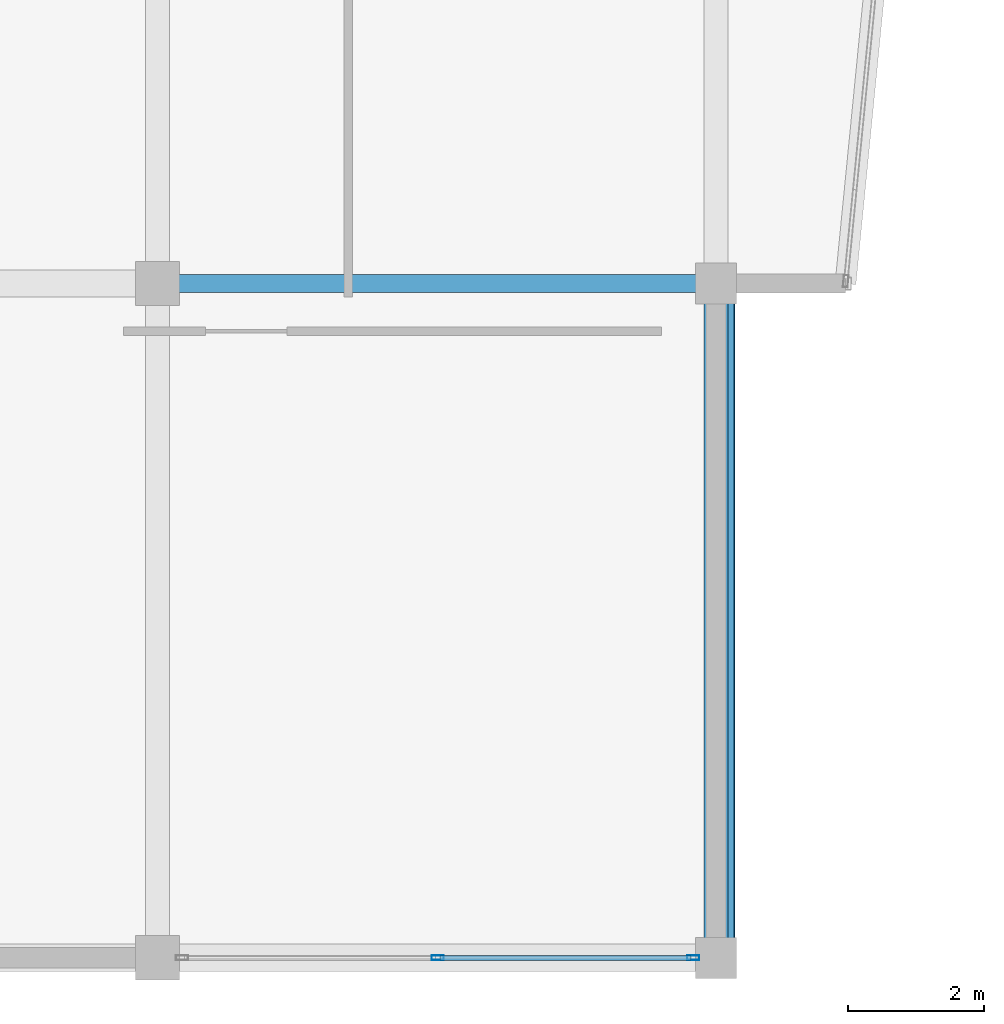
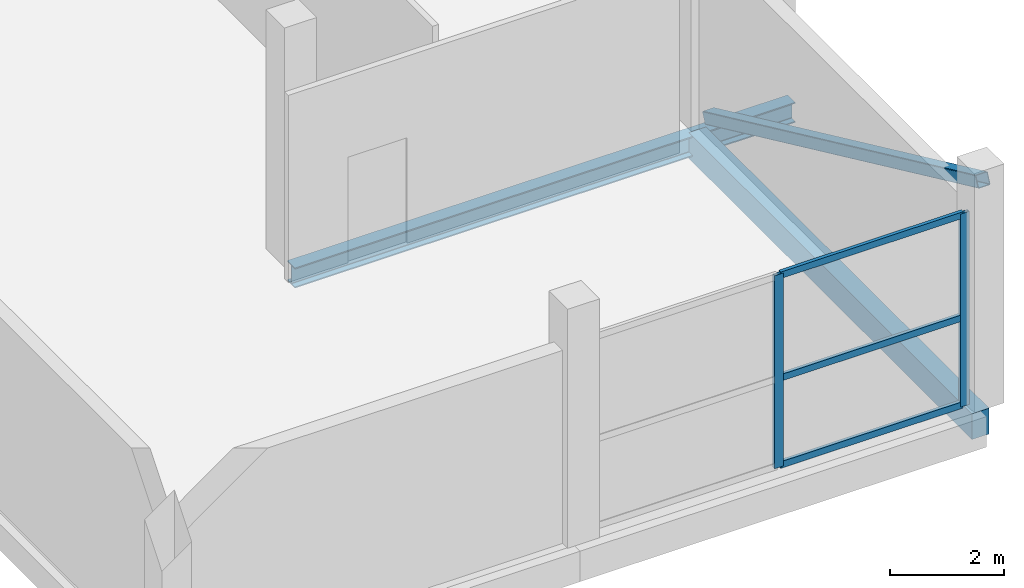
# One storey, part 12 of 66: 6 members, 2 beams, 1 element without a shape of its own.
"""IFC4 building model written with IfcOpenShell, lengths in metres."""

from ifc_helpers import new_model, si_unit, direction, frame, origin, origin_2d, place, context, subcontext, project, spatial, rectangle, hollow_rectangle, i_section, extrude, material, layer, layer_set, material_profile, profile_set, type_object, element, aggregate, save


model = new_model("IFC4")

# Units and contexts
model_context = context("Model", 3, precision=1e-05, world=origin(), true_north=direction((0.0, 1.0)))
body_context = subcontext(model_context, "Body", "Model", "MODEL_VIEW")
ifc_project = project(units=[si_unit("LENGTHUNIT", "METRE"), si_unit("AREAUNIT", "SQUARE_METRE"), si_unit("VOLUMEUNIT", "CUBIC_METRE"), si_unit("PLANEANGLEUNIT", "RADIAN"), si_unit("MASSUNIT", "GRAM", prefix="KILO")], contexts=[model_context])

# Site, building, storey
site_placement = place(None, origin())
site = spatial("IfcSite", under=ifc_project, at=site_placement, CompositionType="ELEMENT")
building_placement = place(site_placement, origin())
building = spatial("IfcBuilding", under=site, at=building_placement, Name="Sillaruma Civic Art Gallery", CompositionType="ELEMENT")
storey_placement = place(building_placement, frame((0.0, 0.0, 57.1201171875)))
storey = spatial("IfcBuildingStorey", under=building, at=storey_placement, Name="L11", CompositionType="ELEMENT", Elevation=57.1201171875)

# Beams
ifc_material_1 = material(Name="Structural Steel ASTM A992 Gr.50", Category="steel")
ifc_material_profile_1 = material_profile(ifc_material_1, i_section(OverallWidth=0.264892578125, OverallDepth=0.430908203125, WebThickness=0.014892578125, FlangeThickness=0.02490234375, FilletRadius=0.012939453125, at=origin_2d()), Name="W410x149")
ifc_profile_set_1 = profile_set([ifc_material_profile_1], Name="Structural Steel ASTM A992 Gr.50")
beam_type_1 = type_object("IfcBeamType", Name="BM-PROW-W410x149", PredefinedType="BEAM", material=ifc_profile_set_1)
beam_1_placement = place(storey_placement, frame((106.199951171875, 29.699951171875, -0.465576171875), z_axis=(1.0, 0.0, 0.0), x_axis=(0.0, 1.0, 0.0)))
element("IfcBeam", 1, at=beam_1_placement, inside=storey, type_object=beam_type_1, Name="Back-Spanned Prow Beam (PRW-L11-E-FLR-S)", PredefinedType="BEAM", context=body_context, shape_type="SweptSolid", body=[
    extrude(i_section(OverallWidth=0.264892578125, OverallDepth=0.430908203125, WebThickness=0.014892578125, FlangeThickness=0.02490234375, FilletRadius=0.012939453125, at=origin_2d()), origin(), (0.0, 0.0, 1.0), 10.10009765625),
])
ifc_material_2 = material(Name="Concrete H35 (35 MPa)", Category="concrete")
ifc_material_profile_2 = material_profile(ifc_material_2, rectangle(XDim=0.35009765625, YDim=0.550048828125, at=origin_2d()), Name="RCB350x550")
ifc_profile_set_2 = profile_set([ifc_material_profile_2], Name="Concrete H35 (35 MPa)")
beam_type_2 = type_object("IfcBeamType", Name="BM-SPANDREL-RCB350x550", PredefinedType="SPANDREL", material=ifc_profile_set_2)
beam_2_placement = place(storey_placement, frame((114.39990234375, 19.800048828125, -0.525146484375), z_axis=(0.0, 1.0, 0.0), x_axis=(-1.0, 0.0, 0.0)))
element("IfcBeam", 2, at=beam_2_placement, inside=storey, type_object=beam_type_2, Name="Beam BS-04 (L10:N:3-4)", PredefinedType="SPANDREL", context=body_context, shape_type="SweptSolid", body=[
    extrude(rectangle(XDim=0.35009765625, YDim=0.550048828125, at=origin_2d()), origin(), (0.0, 0.0, 1.0), 9.89990234375),
])

# Member
ifc_material_3 = material(Name="Structural Steel ASTM A500 Gr.C", Category="steel")
ifc_material_profile_3 = material_profile(ifc_material_3, hollow_rectangle(XDim=0.25, YDim=0.25, WallThickness=0.012451171875, InnerFilletRadius=0.012451171875, OuterFilletRadius=0.02490234375, at=origin_2d()), Name="HSS250x250x12.5")
ifc_profile_set_3 = profile_set([ifc_material_profile_3], Name="Structural Steel ASTM A500 Gr.C")
member_type_1 = type_object("IfcMemberType", Name="MEM-MEGA-BRACE", PredefinedType="BRACE", material=ifc_profile_set_3)
member_1_placement = place(storey_placement, frame((114.550048828125, 29.52001953125, 0.099853515625), z_axis=(0.0, -0.907349492377, 0.420377091053), x_axis=(1.0, 0.0, 0.0)))
element("IfcMember", 3, at=member_1_placement, inside=storey, type_object=member_type_1, Name="Exterior Expressed Gallery Seismic Diagonal Brace (L11-ES)", PredefinedType="BRACE", context=body_context, shape_type="SweptSolid", body=[
    extrude(hollow_rectangle(XDim=0.25, YDim=0.25, WallThickness=0.012451171875, InnerFilletRadius=0.012451171875, OuterFilletRadius=0.02490234375, at=origin_2d()), origin(), (0.0, 0.0, 1.0), 10.51416015625),
])

# Curtain wall, members
ifc_material_4 = material(Name="Thermally Broken Extruded Aluminium 6063-T6", Category="aluminium")
ifc_layer = layer(ifc_material_4, 0.179931640625, Name="Thermally Broken Extruded Aluminium 6063-T6")
ifc_layer_set = layer_set([ifc_layer], Name="Thermally Broken Extruded Aluminium 6063-T6")
curtain_wall_type = type_object("IfcCurtainWallType", Name="CW-UNI-87", PredefinedType="NOTDEFINED", material=ifc_layer_set)
curtain_wall_placement = place(storey_placement, origin())
curtain_wall = element("IfcCurtainWall", 4, at=curtain_wall_placement, inside=storey, type_object=curtain_wall_type, Name="Unitised Curtain Wall CW-87 (CW-L11-EBS-2)", PredefinedType="NOTDEFINED")
ifc_material_profile_4 = material_profile(ifc_material_4, hollow_rectangle(XDim=0.070068359375, YDim=0.179931640625, WallThickness=0.00390625, at=origin_2d()), Name="CWM70x180")
ifc_profile_set_4 = profile_set([ifc_material_profile_4], Name="Thermally Broken Extruded Aluminium 6063-T6")
member_type_2 = type_object("IfcMemberType", Name="MEM-MUL-CWM70x180", PredefinedType="MULLION", material=ifc_profile_set_4)
member_2_placement = place(storey_placement, frame((110.3125, 19.800048828125, 0.0), z_axis=(0.0, 0.0, 1.0), x_axis=(0.0, 1.0, 0.0)))
member_2 = element("IfcMember", 5, at=member_2_placement, type_object=member_type_2, Name="CW-87 mullion 2", PredefinedType="MULLION", context=body_context, shape_type="SweptSolid", body=[
    extrude(hollow_rectangle(XDim=0.070068359375, YDim=0.179931640625, WallThickness=0.00390625, at=origin_2d()), origin(), (0.0, 0.0, 1.0), 4.119873046875),
])
member_3_placement = place(storey_placement, frame((114.06494140625, 19.800048828125, 0.0), z_axis=(0.0, 0.0, 1.0), x_axis=(0.0, 1.0, 0.0)))
member_3 = element("IfcMember", 6, at=member_3_placement, type_object=member_type_2, Name="CW-87 mullion 3", PredefinedType="MULLION", context=body_context, shape_type="SweptSolid", body=[
    extrude(hollow_rectangle(XDim=0.070068359375, YDim=0.179931640625, WallThickness=0.00390625, at=origin_2d()), origin(), (0.0, 0.0, 1.0), 4.119873046875),
])
ifc_material_profile_5 = material_profile(ifc_material_4, hollow_rectangle(XDim=0.070068359375, YDim=0.139892578125, WallThickness=0.00390625, at=origin_2d()), Name="CWT70x140")
ifc_profile_set_5 = profile_set([ifc_material_profile_5], Name="Thermally Broken Extruded Aluminium 6063-T6")
member_type_3 = type_object("IfcMemberType", Name="MEM-TRN-CWT70x140", PredefinedType="USERDEFINED", material=ifc_profile_set_5)
member_4_placement = place(storey_placement, frame((110.347412109375, 19.800048828125, 0.034912109375), z_axis=(1.0, 0.0, 0.0), x_axis=(0.0, 1.0, 0.0)))
member_4 = element("IfcMember", 7, at=member_4_placement, type_object=member_type_3, Name="CW-87 transom 2.1", ObjectType="TRANSOM", PredefinedType="USERDEFINED", context=body_context, shape_type="SweptSolid", body=[
    extrude(hollow_rectangle(XDim=0.070068359375, YDim=0.139892578125, WallThickness=0.00390625, at=origin_2d()), origin(), (0.0, 0.0, 1.0), 3.6826171875),
])
member_5_placement = place(storey_placement, frame((110.347412109375, 19.800048828125, 1.89501953125), z_axis=(1.0, 0.0, 0.0), x_axis=(0.0, 1.0, 0.0)))
member_5 = element("IfcMember", 8, at=member_5_placement, type_object=member_type_3, Name="CW-87 transom 2.2", ObjectType="TRANSOM", PredefinedType="USERDEFINED", context=body_context, shape_type="SweptSolid", body=[
    extrude(hollow_rectangle(XDim=0.070068359375, YDim=0.139892578125, WallThickness=0.00390625, at=origin_2d()), origin(), (0.0, 0.0, 1.0), 3.6826171875),
])
member_6_placement = place(storey_placement, frame((110.347412109375, 19.800048828125, 4.0849609375), z_axis=(1.0, 0.0, 0.0), x_axis=(0.0, 1.0, 0.0)))
member_6 = element("IfcMember", 9, at=member_6_placement, type_object=member_type_3, Name="CW-87 transom 2.3", ObjectType="TRANSOM", PredefinedType="USERDEFINED", context=body_context, shape_type="SweptSolid", body=[
    extrude(hollow_rectangle(XDim=0.070068359375, YDim=0.139892578125, WallThickness=0.00390625, at=origin_2d()), origin(), (0.0, 0.0, 1.0), 3.6826171875),
])
aggregate(curtain_wall, [member_2, member_3, member_4, member_5, member_6])

save(model, "model.ifc")
